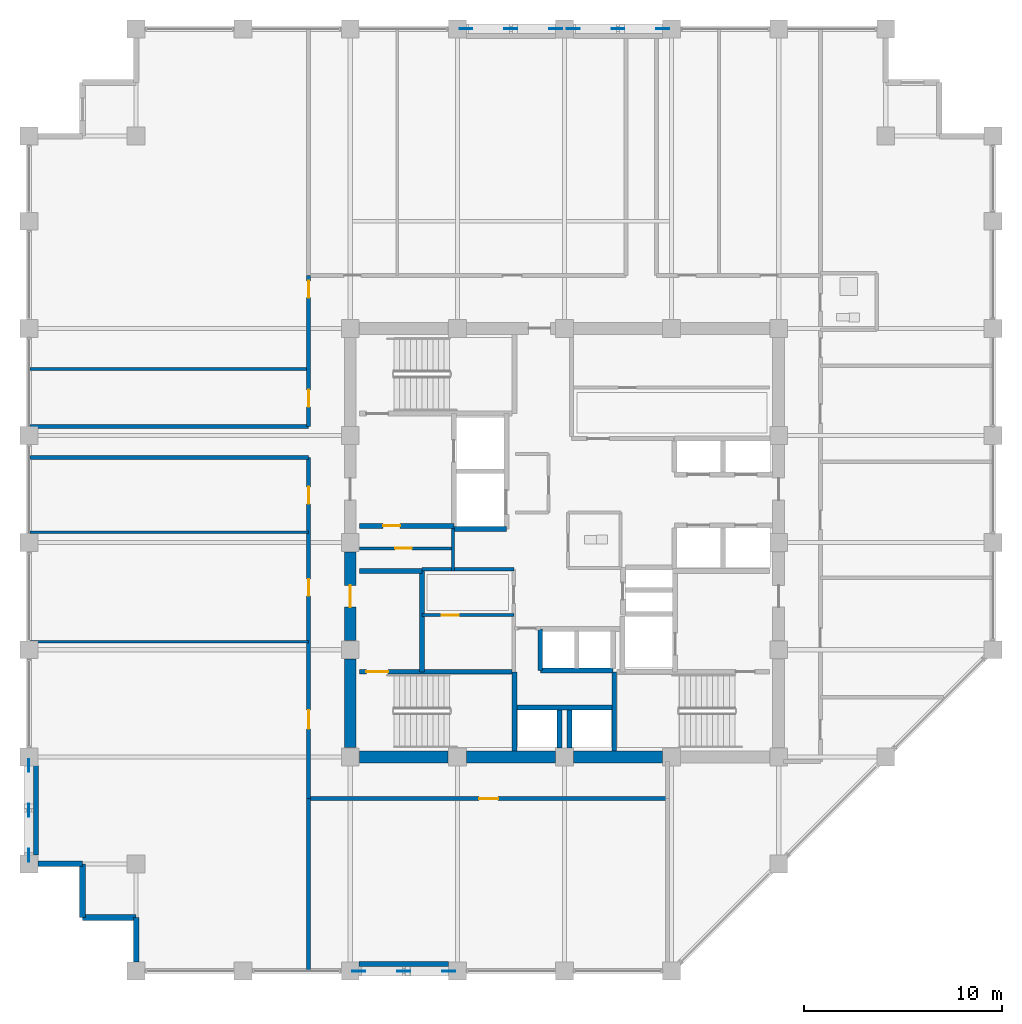
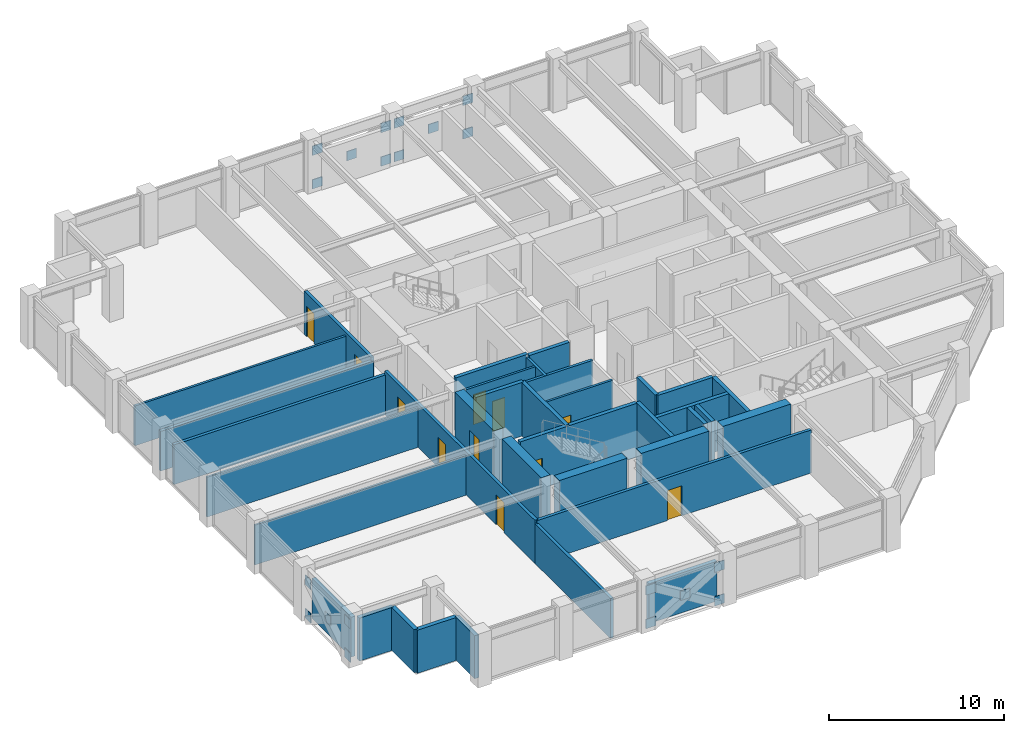
# One storey, part 27 of 32: 36 walls, 20 plates, 11 doors, 11 openings.
"""IFC4 building model written with IfcOpenShell, lengths in metres."""

from ifc_helpers import new_model, si_unit, direction, frame, frame_2d, origin, origin_2d, place, context, subcontext, project, spatial, rectangle, extrude, material, layer, layer_set, type_object, element, fill, save


model = new_model("IFC4")

# Units and contexts
model_context = context("Model", 3, precision=1e-05, world=origin(), true_north=direction((0.0, 1.0)))
body_context = subcontext(model_context, "Body", "Model", "MODEL_VIEW")
ifc_project = project(units=[si_unit("LENGTHUNIT", "METRE"), si_unit("AREAUNIT", "SQUARE_METRE"), si_unit("VOLUMEUNIT", "CUBIC_METRE"), si_unit("PLANEANGLEUNIT", "RADIAN"), si_unit("MASSUNIT", "GRAM", prefix="KILO")], contexts=[model_context])

# Site, building, storey
site_placement = place(None, origin())
site = spatial("IfcSite", under=ifc_project, at=site_placement, CompositionType="ELEMENT")
building_placement = place(site_placement, origin())
building = spatial("IfcBuilding", under=site, at=building_placement, Name="Surkhivell Harbour Commons", CompositionType="ELEMENT")
storey_placement = place(building_placement, frame((0.0, 0.0, 201.0)))
storey = spatial("IfcBuildingStorey", under=building, at=storey_placement, Name="L52", CompositionType="ELEMENT", Elevation=201.0)

# Plates
ifc_material_1 = material(Name="Steel S460", Category="steel")
ifc_layer_1 = layer(ifc_material_1, 0.044921875)
ifc_layer_set_1 = layer_set([ifc_layer_1], Name="Steel S460")
plate_type = type_object("IfcPlateType", Name="PLT-GUS-650", PredefinedType="USERDEFINED", material=ifc_layer_set_1)
for number, where, z_axis, x_axis, name in (
    (1, (-4.965087890625, 25.89990234375, -0.08935546875), (0.0, 0.0, 1.0), (1.0, 0.0, 0.0), "L52 Perimeter Mega-Brace MB- Corner Gusset N-1"),
    (2, (-0.43505859375, 25.89990234375, -0.08935546875), (0.0, 0.0, 1.0), (1.0, 0.0, 0.0), "L52 Perimeter Mega-Brace MB- Corner Gusset N-2"),
    (3, (-4.965087890625, 25.89990234375, 2.25146484375), (0.0, 0.0, 1.0), (1.0, 0.0, 0.0), "L52 Perimeter Mega-Brace MB- Corner Gusset N-3"),
    (4, (-0.43505859375, 25.89990234375, 2.25146484375), (0.0, 0.0, 1.0), (1.0, 0.0, 0.0), "L52 Perimeter Mega-Brace MB- Corner Gusset N-4"),
    (5, (-2.699951171875, 25.89990234375, 1.0810546875), (0.0, 0.0, 1.0), (1.0, 0.0, 0.0), "L52 Perimeter Mega-Brace MB- Central Crossing Gusset N"),
    (6, (0.43505859375, 25.89990234375, -0.08935546875), (0.0, 0.0, 1.0), (1.0, 0.0, 0.0), "L52 Perimeter Mega-Brace MB- Corner Gusset N2-1"),
    (7, (4.965087890625, 25.89990234375, -0.08935546875), (0.0, 0.0, 1.0), (1.0, 0.0, 0.0), "L52 Perimeter Mega-Brace MB- Corner Gusset N2-2"),
    (8, (0.43505859375, 25.89990234375, 2.25146484375), (0.0, 0.0, 1.0), (1.0, 0.0, 0.0), "L52 Perimeter Mega-Brace MB- Corner Gusset N2-3"),
    (9, (4.965087890625, 25.89990234375, 2.25146484375), (0.0, 0.0, 1.0), (1.0, 0.0, 0.0), "L52 Perimeter Mega-Brace MB- Corner Gusset N2-4"),
    (10, (2.699951171875, 25.89990234375, 1.0810546875), (0.0, 0.0, 1.0), (1.0, 0.0, 0.0), "L52 Perimeter Mega-Brace MB- Central Crossing Gusset N2"),
    (11, (-10.364990234375, -21.60009765625, -0.08935546875), (0.0, 0.0, 1.0), (1.0, 0.0, 0.0), "L52 Perimeter Mega-Brace MB- Corner Gusset S-1"),
    (12, (-5.8349609375, -21.60009765625, -0.08935546875), (0.0, 0.0, 1.0), (1.0, 0.0, 0.0), "L52 Perimeter Mega-Brace MB- Corner Gusset S-2"),
    (13, (-10.364990234375, -21.60009765625, 2.25146484375), (0.0, 0.0, 1.0), (1.0, 0.0, 0.0), "L52 Perimeter Mega-Brace MB- Corner Gusset S-3"),
    (14, (-5.8349609375, -21.60009765625, 2.25146484375), (0.0, 0.0, 1.0), (1.0, 0.0, 0.0), "L52 Perimeter Mega-Brace MB- Corner Gusset S-4"),
    (15, (-8.10009765625, -21.60009765625, 1.0810546875), (0.0, 0.0, 1.0), (1.0, 0.0, 0.0), "L52 Perimeter Mega-Brace MB- Central Crossing Gusset S"),
    (16, (-27.0, -15.764892578125, -0.08935546875), (0.0, 0.0, 1.0), (0.0, 1.0, 0.0), "L52 Perimeter Mega-Brace MB- Corner Gusset W-1"),
    (17, (-27.0, -11.235107421875, -0.08935546875), (0.0, 0.0, 1.0), (0.0, 1.0, 0.0), "L52 Perimeter Mega-Brace MB- Corner Gusset W-2"),
    (18, (-27.0, -15.764892578125, 2.25146484375), (0.0, 0.0, 1.0), (0.0, 1.0, 0.0), "L52 Perimeter Mega-Brace MB- Corner Gusset W-3"),
    (19, (-27.0, -11.235107421875, 2.25146484375), (0.0, 0.0, 1.0), (0.0, 1.0, 0.0), "L52 Perimeter Mega-Brace MB- Corner Gusset W-4"),
    (20, (-27.0, -13.5, 1.0810546875), (0.0, 0.0, 1.0), (0.0, 1.0, 0.0), "L52 Perimeter Mega-Brace MB- Central Crossing Gusset W"),
):
    element("IfcPlate", number, at=place(storey_placement, frame(where, z_axis=z_axis, x_axis=x_axis)), inside=storey, type_object=plate_type, Name=name, ObjectType="GUSSET_PLATE", PredefinedType="USERDEFINED", context=body_context, shape_type="SweptSolid", body=[
        extrude(rectangle(XDim=0.64990234375, YDim=0.044921875, at=origin_2d()), origin(), (0.0, 0.0, 1.0), 0.64990234375),
    ])

# Walls
ifc_material_2 = material(Name="Concrete C60/75", Category="concrete")
ifc_layer_2 = layer(ifc_material_2, 0.60009765625)
ifc_layer_set_2 = layer_set([ifc_layer_2], Name="Concrete C60/75")
wall_type_1 = type_object("IfcWallType", Name="WAL-CORE-600", PredefinedType="SHEAR", material=ifc_layer_set_2)
for number, where, z_axis, x_axis, name in (
    (21, (-10.340087890625, -10.800048828125, 0.0), (0.0, 0.0, 1.0), (1.0, 0.0, 0.0), "L52 Core Shear Wall South 1"),
    (22, (-10.800048828125, -10.340087890625, 0.0), (0.0, 0.0, 1.0), (0.0, 1.0, 0.0), "L52 Core Shear Wall West 1"),
    (23, (-4.93994140625, -10.800048828125, 0.0), (0.0, 0.0, 1.0), (1.0, 0.0, 0.0), "L52 Core Shear Wall South 2"),
):
    element("IfcWall", number, at=place(storey_placement, frame(where, z_axis=z_axis, x_axis=x_axis)), inside=storey, type_object=wall_type_1, Name=name, PredefinedType="SHEAR", context=body_context, shape_type="SweptSolid", body=[
        extrude(rectangle(XDim=4.47998046875, YDim=0.60009765625, at=frame_2d((2.239990234375, 0.0))), origin(), (0.0, 0.0, 1.0), 3.75),
    ])

# Wall, opening, door
wall_1_placement = place(storey_placement, frame((-10.800048828125, -4.93994140625, 0.0), z_axis=(0.0, 0.0, 1.0), x_axis=(0.0, 1.0, 0.0)))
wall_1 = element("IfcWall", 24, at=wall_1_placement, inside=storey, type_object=wall_type_1, Name="L52 Core Shear Wall West 2", PredefinedType="SHEAR", context=body_context, shape_type="SweptSolid", body=[
    extrude(rectangle(XDim=4.47998046875, YDim=0.60009765625, at=frame_2d((2.239990234375, 0.0))), origin(), (0.0, 0.0, 1.0), 3.75),
])
opening_1_placement = place(wall_1_placement, frame((1.68994140625, 0.0, 0.0)))
opening_1 = element("IfcOpeningElement", 25, at=opening_1_placement, cuts=wall_1, Name="Opening ID-2", PredefinedType="OPENING", context=body_context, shape_type="SweptSolid", body=[
    extrude(rectangle(XDim=1.10009765625, YDim=2.10009765625, at=frame_2d((0.550048828125, 1.050048828125))), frame((0.0, 0.31005859375, 0.0), z_axis=(0.0, -1.0, 0.0), x_axis=(1.0, 0.0, 0.0)), (0.0, 0.0, 1.0), 0.6201171875),
])
ifc_material_3 = material(Name="Hardwood-veneered fire-rated door leaf", Category="wood")
door_type_1 = type_object("IfcDoorType", Name="DOR-FD60-1100", OperationType="NOTDEFINED", PredefinedType="DOOR", material=ifc_material_3)
door_1_placement = place(opening_1_placement, origin())
door_1 = element("IfcDoor", 26, at=door_1_placement, inside=storey, type_object=door_type_1, Name="L52 Stair 3 Lobby Corridor Door", OperationType="SINGLE_SWING_LEFT", OverallHeight=2.10009765625, OverallWidth=1.10009765625, PredefinedType="DOOR", context=body_context, shape_type="SweptSolid", body=[
    extrude(rectangle(XDim=1.10009765625, YDim=2.10009765625, at=frame_2d((0.550048828125, 1.050048828125))), frame((0.0, 0.02490234375, 0.0), z_axis=(0.0, -1.0, 0.0), x_axis=(1.0, 0.0, 0.0)), (0.0, 0.0, 1.0), 0.050048828125),
])
fill(opening_1, door_1)

# Walls
wall_2_placement = place(storey_placement, frame((0.4599609375, -10.800048828125, 0.0), z_axis=(0.0, 0.0, 1.0), x_axis=(1.0, 0.0, 0.0)))
element("IfcWall", 27, at=wall_2_placement, inside=storey, type_object=wall_type_1, Name="L52 Core Shear Wall South 3", PredefinedType="SHEAR", context=body_context, shape_type="SweptSolid", body=[
    extrude(rectangle(XDim=4.47998046875, YDim=0.60009765625, at=frame_2d((2.239990234375, 0.0))), origin(), (0.0, 0.0, 1.0), 3.75),
])
ifc_material_4 = material(Name="Pale-metal insulated precast concrete C45/55", Category="concrete")
ifc_layer_3 = layer(ifc_material_4, 0.260009765625)
ifc_layer_set_3 = layer_set([ifc_layer_3], Name="Pale-metal insulated precast concrete C45/55")
wall_type_2 = type_object("IfcWallType", Name="WAL-EXT-MTL260", PredefinedType="STANDARD", material=ifc_layer_set_3)
wall_3_placement = place(storey_placement, frame((-10.35205078125, -21.239990234375, 0.0), z_axis=(0.0, 0.0, 1.0), x_axis=(1.0, 0.0, 0.0)))
element("IfcWall", 28, at=wall_3_placement, inside=storey, type_object=wall_type_2, Name="L52 Braced-Bay Insulated Spandrel Backing S", PredefinedType="STANDARD", context=body_context, shape_type="SweptSolid", body=[
    extrude(rectangle(XDim=4.504150390625, YDim=0.260009765625, at=frame_2d((2.251953125, 0.0))), origin(), (0.0, 0.0, 1.0), 2.780029296875),
])
wall_4_placement = place(storey_placement, frame((-26.639892578125, -11.248046875, 0.0), z_axis=(0.0, 0.0, 1.0), x_axis=(0.0, -1.0, 0.0)))
element("IfcWall", 29, at=wall_4_placement, inside=storey, type_object=wall_type_2, Name="L52 Braced-Bay Insulated Spandrel Backing W", PredefinedType="STANDARD", context=body_context, shape_type="SweptSolid", body=[
    extrude(rectangle(XDim=4.50390625, YDim=0.260009765625, at=frame_2d((2.251953125, 0.0))), origin(), (0.0, 0.0, 1.0), 2.780029296875),
])
ifc_material_5 = material(Name="Terracotta-clad reinforced concrete C45/55", Category="masonry")
ifc_layer_4 = layer(ifc_material_5, 0.280029296875)
ifc_layer_set_4 = layer_set([ifc_layer_4], Name="Terracotta-clad reinforced concrete C45/55")
wall_type_3 = type_object("IfcWallType", Name="WAL-EXT-TER280", PredefinedType="STANDARD", material=ifc_layer_set_4)
wall_5_placement = place(storey_placement, frame((-26.552001953125, -16.199951171875, 0.0), z_axis=(0.0, 0.0, 1.0), x_axis=(1.0, 0.0, 0.0)))
element("IfcWall", 30, at=wall_5_placement, inside=storey, type_object=wall_type_3, Name="L52 Serrated Corner Facade Wall 13", PredefinedType="STANDARD", context=body_context, shape_type="SweptSolid", body=[
    extrude(rectangle(XDim=2.251953125, YDim=0.280029296875, at=frame_2d((1.1259765625, 0.0))), origin(), (0.0, 0.0, 1.0), 3.006103515625),
])
for number, where, z_axis, x_axis, name in (
    (31, (-24.300048828125, -16.199951171875, 0.0), (0.0, 0.0, 1.0), (0.0, -1.0, 0.0), "L52 Serrated Corner Facade Wall 14"),
    (32, (-24.300048828125, -18.89990234375, 0.0), (0.0, 0.0, 1.0), (1.0, 0.0, 0.0), "L52 Serrated Corner Facade Wall 15"),
):
    element("IfcWall", number, at=place(storey_placement, frame(where, z_axis=z_axis, x_axis=x_axis)), inside=storey, type_object=wall_type_3, Name=name, PredefinedType="STANDARD", context=body_context, shape_type="SweptSolid", body=[
        extrude(rectangle(XDim=2.699951171875, YDim=0.280029296875, at=frame_2d((1.35009765625, 0.0))), origin(), (0.0, 0.0, 1.0), 3.006103515625),
    ])
wall_6_placement = place(storey_placement, frame((-21.60009765625, -18.89990234375, 0.0), z_axis=(0.0, 0.0, 1.0), x_axis=(0.0, -1.0, 0.0)))
element("IfcWall", 33, at=wall_6_placement, inside=storey, type_object=wall_type_3, Name="L52 Serrated Corner Facade Wall 16", PredefinedType="STANDARD", context=body_context, shape_type="SweptSolid", body=[
    extrude(rectangle(XDim=2.252197265625, YDim=0.280029296875, at=frame_2d((1.1259765625, 0.0))), origin(), (0.0, 0.0, 1.0), 3.006103515625),
])
ifc_material_6 = material(Name="Moisture-resistant acoustic stud partition", Category="other")
ifc_layer_5 = layer(ifc_material_6, 0.125)
ifc_layer_set_5 = layer_set([ifc_layer_5], Name="Moisture-resistant acoustic stud partition")
wall_type_4 = type_object("IfcWallType", Name="WAL-INT-125", PredefinedType="PARTITIONING", material=ifc_layer_set_5)
for number, where, z_axis, x_axis, name in (
    (34, (-26.93994140625, -4.989990234375, 0.0), (0.0, 0.0, 1.0), (1.0, 0.0, 0.0), "L52 South-West Partition P1"),
    (35, (-26.93994140625, 0.52001953125, 0.0), (0.0, 0.0, 1.0), (1.0, 0.0, 0.0), "L52 South-West Partition P2"),
):
    element("IfcWall", number, at=place(storey_placement, frame(where, z_axis=z_axis, x_axis=x_axis)), inside=storey, type_object=wall_type_4, Name=name, PredefinedType="PARTITIONING", context=body_context, shape_type="SweptSolid", body=[
        extrude(rectangle(XDim=14.0400390625, YDim=0.125, at=frame_2d((7.02001953125, 0.0))), origin(), (0.0, 0.0, 1.0), 2.780029296875),
    ])

# Wall, opening, door
ifc_material_7 = material(Name="Twin-stud acoustic fireboard partition", Category="other")
ifc_layer_6 = layer(ifc_material_7, 0.14990234375)
ifc_layer_set_6 = layer_set([ifc_layer_6], Name="Twin-stud acoustic fireboard partition")
wall_type_5 = type_object("IfcWallType", Name="WAL-INT-150", PredefinedType="PARTITIONING", material=ifc_layer_set_6)
wall_7_placement = place(storey_placement, frame((-7.179931640625, -3.64990234375, 0.0), z_axis=(0.0, 0.0, 1.0), x_axis=(1.0, 0.0, 0.0)))
wall_7 = element("IfcWall", 36, at=wall_7_placement, inside=storey, type_object=wall_type_5, Name="L52 Core Cut C1 Partition", PredefinedType="PARTITIONING", context=body_context, shape_type="SweptSolid", body=[
    extrude(rectangle(XDim=4.6298828125, YDim=0.14990234375, at=frame_2d((2.31494140625, 0.0))), origin(), (0.0, 0.0, 1.0), 3.570068359375),
])
opening_2_placement = place(wall_7_placement, frame((1.0, 0.0, 0.0)))
opening_2 = element("IfcOpeningElement", 37, at=opening_2_placement, cuts=wall_7, Name="Opening ID-6", PredefinedType="OPENING", context=body_context, shape_type="SweptSolid", body=[
    extrude(rectangle(XDim=0.85009765625, YDim=2.10009765625, at=frame_2d((0.425048828125, 1.050048828125))), frame((0.0, 0.0849609375, 0.0), z_axis=(0.0, -1.0, 0.0), x_axis=(1.0, 0.0, 0.0)), (0.0, 0.0, 1.0), 0.169921875),
])
door_type_2 = type_object("IfcDoorType", Name="DOR-FD30-850", OperationType="NOTDEFINED", PredefinedType="DOOR", material=ifc_material_3)
door_2_placement = place(opening_2_placement, origin())
door_2 = element("IfcDoor", 38, at=door_2_placement, inside=storey, type_object=door_type_2, Name="L52 Cleaner Room Door", OperationType="SINGLE_SWING_LEFT", OverallHeight=2.10009765625, OverallWidth=0.85009765625, PredefinedType="DOOR", context=body_context, shape_type="SweptSolid", body=[
    extrude(rectangle(XDim=0.85009765625, YDim=2.10009765625, at=frame_2d((0.425048828125, 1.050048828125))), frame((0.0, 0.02490234375, 0.0), z_axis=(0.0, -1.0, 0.0), x_axis=(1.0, 0.0, 0.0)), (0.0, 0.0, 1.0), 0.050048828125),
])
fill(opening_2, door_2)

wall_8_placement = place(storey_placement, frame((-10.340087890625, -0.2900390625, 0.0), z_axis=(0.0, 0.0, 1.0), x_axis=(1.0, 0.0, 0.0)))
wall_8 = element("IfcWall", 39, at=wall_8_placement, inside=storey, type_object=wall_type_5, Name="L52 West Core Horizontal Cut", PredefinedType="PARTITIONING", context=body_context, shape_type="SweptSolid", body=[
    extrude(rectangle(XDim=4.719970703125, YDim=0.14990234375, at=frame_2d((2.35986328125, 0.0))), origin(), (0.0, 0.0, 1.0), 3.570068359375),
])
opening_3_placement = place(wall_8_placement, frame((1.800048828125, 0.0, 0.0)))
opening_3 = element("IfcOpeningElement", 40, at=opening_3_placement, cuts=wall_8, Name="Opening ID-6", PredefinedType="OPENING", context=body_context, shape_type="SweptSolid", body=[
    extrude(rectangle(XDim=0.85009765625, YDim=2.10009765625, at=frame_2d((0.425048828125, 1.050048828125))), frame((0.0, 0.0849609375, 0.0), z_axis=(0.0, -1.0, 0.0), x_axis=(1.0, 0.0, 0.0)), (0.0, 0.0, 1.0), 0.169921875),
])
door_3_placement = place(opening_3_placement, origin())
door_3 = element("IfcDoor", 41, at=door_3_placement, inside=storey, type_object=door_type_2, Name="L52 West Music Pod Door", OperationType="SINGLE_SWING_RIGHT", OverallHeight=2.10009765625, OverallWidth=0.85009765625, PredefinedType="DOOR", context=body_context, shape_type="SweptSolid", body=[
    extrude(rectangle(XDim=0.85009765625, YDim=2.10009765625, at=frame_2d((0.425048828125, 1.050048828125))), frame((0.0, 0.02490234375, 0.0), z_axis=(0.0, -1.0, 0.0), x_axis=(1.0, 0.0, 0.0)), (0.0, 0.0, 1.0), 0.050048828125),
])
fill(opening_3, door_3)

# Walls
wall_9_placement = place(storey_placement, frame((-26.93994140625, 8.75, 0.0), z_axis=(0.0, 0.0, 1.0), x_axis=(1.0, 0.0, 0.0)))
element("IfcWall", 42, at=wall_9_placement, inside=storey, type_object=wall_type_5, Name="L52 North-West Partition P1", PredefinedType="PARTITIONING", context=body_context, shape_type="SweptSolid", body=[
    extrude(rectangle(XDim=14.0400390625, YDim=0.14990234375, at=frame_2d((7.02001953125, 0.0))), origin(), (0.0, 0.0, 1.0), 2.780029296875),
])
ifc_material_8 = material(Name="High-density acoustic blockwork fire partition", Category="masonry")
ifc_layer_7 = layer(ifc_material_8, 0.175048828125)
ifc_layer_set_7 = layer_set([ifc_layer_7], Name="High-density acoustic blockwork fire partition")
wall_type_6 = type_object("IfcWallType", Name="WAL-INT-175", PredefinedType="PARTITIONING", material=ifc_layer_set_7)
wall_10_placement = place(storey_placement, frame((-7.179931640625, -1.35009765625, 0.0), z_axis=(0.0, 0.0, 1.0), x_axis=(1.0, 0.0, 0.0)))
element("IfcWall", 43, at=wall_10_placement, inside=storey, type_object=wall_type_6, Name="L52 Core Service Bay North Wall", PredefinedType="PARTITIONING", context=body_context, shape_type="SweptSolid", body=[
    extrude(rectangle(XDim=4.6298828125, YDim=0.175048828125, at=frame_2d((2.31494140625, 0.0))), origin(), (0.0, 0.0, 1.0), 3.570068359375),
])
wall_11_placement = place(storey_placement, frame((-5.6201171875, -1.419921875, 0.0), z_axis=(0.0, 0.0, 1.0), x_axis=(0.0, 1.0, 0.0)))
element("IfcWall", 44, at=wall_11_placement, inside=storey, type_object=wall_type_6, Name="L52 West Core Bay East Wall", PredefinedType="PARTITIONING", context=body_context, shape_type="SweptSolid", body=[
    extrude(rectangle(XDim=2.139892578125, YDim=0.175048828125, at=frame_2d((1.06982421875, 0.0))), origin(), (0.0, 0.0, 1.0), 3.570068359375),
])
ifc_material_9 = material(Name="Autoclaved aerated concrete blockwork and fire plaster", Category="masonry")
ifc_layer_8 = layer(ifc_material_9, 0.199951171875)
ifc_layer_set_8 = layer_set([ifc_layer_8], Name="Autoclaved aerated concrete blockwork and fire plaster")
wall_type_7 = type_object("IfcWallType", Name="WAL-INT-200", PredefinedType="PARTITIONING", material=ifc_layer_set_8)
wall_12_placement = place(storey_placement, frame((-12.89990234375, -21.5400390625, 0.0), z_axis=(0.0, 0.0, 1.0), x_axis=(0.0, 1.0, 0.0)))
element("IfcWall", 45, at=wall_12_placement, inside=storey, type_object=wall_type_7, Name="L52 South-West Corner Wall", PredefinedType="PARTITIONING", context=body_context, shape_type="SweptSolid", body=[
    extrude(rectangle(XDim=8.64013671875, YDim=0.199951171875, at=frame_2d((4.320068359375, 0.0))), origin(), (0.0, 0.0, 1.0), 2.780029296875),
])

# Wall, opening, door
wall_13_placement = place(storey_placement, frame((-12.89990234375, -12.89990234375, 0.0), z_axis=(0.0, 0.0, 1.0), x_axis=(1.0, 0.0, 0.0)))
wall_13 = element("IfcWall", 46, at=wall_13_placement, inside=storey, type_object=wall_type_7, Name="L52 Corridor South Wall", PredefinedType="PARTITIONING", context=body_context, shape_type="SweptSolid", body=[
    extrude(rectangle(XDim=18.099853515625, YDim=0.199951171875, at=frame_2d((9.0498046875, 0.0))), origin(), (0.0, 0.0, 1.0), 3.006103515625),
])
opening_4_placement = place(wall_13_placement, frame((8.60009765625, 0.0, 0.0)))
opening_4 = element("IfcOpeningElement", 47, at=opening_4_placement, cuts=wall_13, Name="Opening ID-4", PredefinedType="OPENING", context=body_context, shape_type="SweptSolid", body=[
    extrude(rectangle(XDim=0.949951171875, YDim=2.10009765625, at=frame_2d((0.47509765625, 1.050048828125))), frame((0.0, 0.10986328125, 0.0), z_axis=(0.0, -1.0, 0.0), x_axis=(1.0, 0.0, 0.0)), (0.0, 0.0, 1.0), 0.219970703125),
])
door_type_3 = type_object("IfcDoorType", Name="DOR-FD60-950", OperationType="NOTDEFINED", PredefinedType="DOOR", material=ifc_material_3)
door_4_placement = place(opening_4_placement, origin())
door_4 = element("IfcDoor", 48, at=door_4_placement, inside=storey, type_object=door_type_3, Name="L52 Harbour Social Lounge South Door", OperationType="SINGLE_SWING_LEFT", OverallHeight=2.10009765625, OverallWidth=0.949951171875, PredefinedType="DOOR", context=body_context, shape_type="SweptSolid", body=[
    extrude(rectangle(XDim=0.949951171875, YDim=2.10009765625, at=frame_2d((0.47509765625, 1.050048828125))), frame((0.0, 0.02490234375, 0.0), z_axis=(0.0, -1.0, 0.0), x_axis=(1.0, 0.0, 0.0)), (0.0, 0.0, 1.0), 0.050048828125),
])
fill(opening_4, door_4)

# Walls
for number, where, z_axis, x_axis, name in (
    (49, (-26.93994140625, 5.85009765625, 0.0), (0.0, 0.0, 1.0), (1.0, 0.0, 0.0), "L52 West Spur North Wall"),
    (50, (-26.93994140625, 4.300048828125, 0.0), (0.0, 0.0, 1.0), (1.0, 0.0, 0.0), "L52 West Spur South Wall"),
):
    element("IfcWall", number, at=place(storey_placement, frame(where, z_axis=z_axis, x_axis=x_axis)), inside=storey, type_object=wall_type_7, Name=name, PredefinedType="PARTITIONING", context=body_context, shape_type="SweptSolid", body=[
        extrude(rectangle(XDim=14.0400390625, YDim=0.199951171875, at=frame_2d((7.02001953125, 0.0))), origin(), (0.0, 0.0, 1.0), 2.780029296875),
    ])

# Wall, openings, doors
wall_14_placement = place(storey_placement, frame((-12.89990234375, 5.85009765625, 0.0), z_axis=(0.0, 0.0, 1.0), x_axis=(0.0, 1.0, 0.0)))
wall_14 = element("IfcWall", 51, at=wall_14_placement, inside=storey, type_object=wall_type_7, Name="L52 Corridor West-Upper Wall", PredefinedType="PARTITIONING", context=body_context, shape_type="SweptSolid", body=[
    extrude(rectangle(XDim=7.6298828125, YDim=0.199951171875, at=frame_2d((3.81494140625, 0.0))), origin(), (0.0, 0.0, 1.0), 3.006103515625),
])
opening_5_placement = place(wall_14_placement, frame((1.0, 0.0, 0.0)))
opening_5 = element("IfcOpeningElement", 52, at=opening_5_placement, cuts=wall_14, Name="Opening ID-6", PredefinedType="OPENING", context=body_context, shape_type="SweptSolid", body=[
    extrude(rectangle(XDim=0.85009765625, YDim=2.10009765625, at=frame_2d((0.425048828125, 1.050048828125))), frame((0.0, 0.10986328125, 0.0), z_axis=(0.0, -1.0, 0.0), x_axis=(1.0, 0.0, 0.0)), (0.0, 0.0, 1.0), 0.219970703125),
])
opening_6_placement = place(wall_14_placement, frame((6.5, 0.0, 0.0)))
opening_6 = element("IfcOpeningElement", 53, at=opening_6_placement, cuts=wall_14, Name="Opening ID-6", PredefinedType="OPENING", context=body_context, shape_type="SweptSolid", body=[
    extrude(rectangle(XDim=0.85009765625, YDim=2.10009765625, at=frame_2d((0.425048828125, 1.050048828125))), frame((0.0, 0.10986328125, 0.0), z_axis=(0.0, -1.0, 0.0), x_axis=(1.0, 0.0, 0.0)), (0.0, 0.0, 1.0), 0.219970703125),
])
door_5_placement = place(opening_5_placement, origin())
door_5 = element("IfcDoor", 54, at=door_5_placement, inside=storey, type_object=door_type_2, Name="L52 Harbour Reading Library North-West Door", OperationType="SINGLE_SWING_RIGHT", OverallHeight=2.10009765625, OverallWidth=0.85009765625, PredefinedType="DOOR", context=body_context, shape_type="SweptSolid", body=[
    extrude(rectangle(XDim=0.85009765625, YDim=2.10009765625, at=frame_2d((0.425048828125, 1.050048828125))), frame((0.0, 0.02490234375, 0.0), z_axis=(0.0, -1.0, 0.0), x_axis=(1.0, 0.0, 0.0)), (0.0, 0.0, 1.0), 0.050048828125),
])
fill(opening_5, door_5)
door_6_placement = place(opening_6_placement, origin())
door_6 = element("IfcDoor", 55, at=door_6_placement, inside=storey, type_object=door_type_2, Name="L52 Communal Dining Hall North-West Door", OperationType="SINGLE_SWING_LEFT", OverallHeight=2.10009765625, OverallWidth=0.85009765625, PredefinedType="DOOR", context=body_context, shape_type="SweptSolid", body=[
    extrude(rectangle(XDim=0.85009765625, YDim=2.10009765625, at=frame_2d((0.425048828125, 1.050048828125))), frame((0.0, 0.02490234375, 0.0), z_axis=(0.0, -1.0, 0.0), x_axis=(1.0, 0.0, 0.0)), (0.0, 0.0, 1.0), 0.050048828125),
])
fill(opening_6, door_6)

wall_15_placement = place(storey_placement, frame((-12.89990234375, -12.89990234375, 0.0), z_axis=(0.0, 0.0, 1.0), x_axis=(0.0, 1.0, 0.0)))
wall_15 = element("IfcWall", 56, at=wall_15_placement, inside=storey, type_object=wall_type_7, Name="L52 Corridor West-Lower Wall", PredefinedType="PARTITIONING", context=body_context, shape_type="SweptSolid", body=[
    extrude(rectangle(XDim=17.199951171875, YDim=0.199951171875, at=frame_2d((8.60009765625, 0.0))), origin(), (0.0, 0.0, 1.0), 3.006103515625),
])
opening_7_placement = place(wall_15_placement, frame((3.5048828125, 0.0, 0.0)))
opening_7 = element("IfcOpeningElement", 57, at=opening_7_placement, cuts=wall_15, Name="Opening ID-4", PredefinedType="OPENING", context=body_context, shape_type="SweptSolid", body=[
    extrude(rectangle(XDim=0.949951171875, YDim=2.10009765625, at=frame_2d((0.47509765625, 1.050048828125))), frame((0.0, 0.10986328125, 0.0), z_axis=(0.0, -1.0, 0.0), x_axis=(1.0, 0.0, 0.0)), (0.0, 0.0, 1.0), 0.219970703125),
])
opening_8_placement = place(wall_15_placement, frame((10.215087890625, 0.0, 0.0)))
opening_8 = element("IfcOpeningElement", 58, at=opening_8_placement, cuts=wall_15, Name="Opening ID-6", PredefinedType="OPENING", context=body_context, shape_type="SweptSolid", body=[
    extrude(rectangle(XDim=0.85009765625, YDim=2.10009765625, at=frame_2d((0.425048828125, 1.050048828125))), frame((0.0, 0.10986328125, 0.0), z_axis=(0.0, -1.0, 0.0), x_axis=(1.0, 0.0, 0.0)), (0.0, 0.0, 1.0), 0.219970703125),
])
opening_9_placement = place(wall_15_placement, frame((14.860107421875, 0.0, 0.0)))
opening_9 = element("IfcOpeningElement", 59, at=opening_9_placement, cuts=wall_15, Name="Opening ID-6", PredefinedType="OPENING", context=body_context, shape_type="SweptSolid", body=[
    extrude(rectangle(XDim=0.85009765625, YDim=2.10009765625, at=frame_2d((0.425048828125, 1.050048828125))), frame((0.0, 0.10986328125, 0.0), z_axis=(0.0, -1.0, 0.0), x_axis=(1.0, 0.0, 0.0)), (0.0, 0.0, 1.0), 0.219970703125),
])
door_7_placement = place(opening_8_placement, origin())
door_7 = element("IfcDoor", 60, at=door_7_placement, inside=storey, type_object=door_type_2, Name="L52 Resident Social Lounge 2 South-West Door", OperationType="SINGLE_SWING_LEFT", OverallHeight=2.10009765625, OverallWidth=0.85009765625, PredefinedType="DOOR", context=body_context, shape_type="SweptSolid", body=[
    extrude(rectangle(XDim=0.85009765625, YDim=2.10009765625, at=frame_2d((0.425048828125, 1.050048828125))), frame((0.0, 0.02490234375, 0.0), z_axis=(0.0, -1.0, 0.0), x_axis=(1.0, 0.0, 0.0)), (0.0, 0.0, 1.0), 0.050048828125),
])
fill(opening_8, door_7)
door_8_placement = place(opening_9_placement, origin())
door_8 = element("IfcDoor", 61, at=door_8_placement, inside=storey, type_object=door_type_2, Name="L52 Resident Social Lounge 3 South-West Door", OperationType="SINGLE_SWING_RIGHT", OverallHeight=2.10009765625, OverallWidth=0.85009765625, PredefinedType="DOOR", context=body_context, shape_type="SweptSolid", body=[
    extrude(rectangle(XDim=0.85009765625, YDim=2.10009765625, at=frame_2d((0.425048828125, 1.050048828125))), frame((0.0, 0.02490234375, 0.0), z_axis=(0.0, -1.0, 0.0), x_axis=(1.0, 0.0, 0.0)), (0.0, 0.0, 1.0), 0.050048828125),
])
fill(opening_9, door_8)
door_9_placement = place(opening_7_placement, origin())
door_9 = element("IfcDoor", 62, at=door_9_placement, inside=storey, type_object=door_type_3, Name="L52 Harbour Social Lounge South-West Door", OperationType="SINGLE_SWING_RIGHT", OverallHeight=2.10009765625, OverallWidth=0.949951171875, PredefinedType="DOOR", context=body_context, shape_type="SweptSolid", body=[
    extrude(rectangle(XDim=0.949951171875, YDim=2.10009765625, at=frame_2d((0.47509765625, 1.050048828125))), frame((0.0, 0.02490234375, 0.0), z_axis=(0.0, -1.0, 0.0), x_axis=(1.0, 0.0, 0.0)), (0.0, 0.0, 1.0), 0.050048828125),
])
fill(opening_7, door_9)

# Wall, opening, door
ifc_material_10 = material(Name="Concrete C50/60", Category="concrete")
ifc_layer_9 = layer(ifc_material_10, 0.25)
ifc_layer_set_9 = layer_set([ifc_layer_9], Name="Concrete C50/60")
wall_type_8 = type_object("IfcWallType", Name="WAL-SHAFT-250", PredefinedType="SHEAR", material=ifc_layer_set_9)
wall_16_placement = place(storey_placement, frame((-10.340087890625, 0.85009765625, 0.0), z_axis=(0.0, 0.0, 1.0), x_axis=(1.0, 0.0, 0.0)))
wall_16 = element("IfcWall", 63, at=wall_16_placement, inside=storey, type_object=wall_type_8, Name="L52 Firefighting Lobby 1 South Wall", PredefinedType="SHEAR", context=body_context, shape_type="SweptSolid", body=[
    extrude(rectangle(XDim=4.760009765625, YDim=0.25, at=frame_2d((2.3798828125, 0.0))), origin(), (0.0, 0.0, 1.0), 3.75),
])
opening_10_placement = place(wall_16_placement, frame((1.199951171875, 0.0, 0.0)))
opening_10 = element("IfcOpeningElement", 64, at=opening_10_placement, cuts=wall_16, Name="Opening ID-6", PredefinedType="OPENING", context=body_context, shape_type="SweptSolid", body=[
    extrude(rectangle(XDim=0.85009765625, YDim=2.10009765625, at=frame_2d((0.425048828125, 1.050048828125))), frame((0.0, 0.135009765625, 0.0), z_axis=(0.0, -1.0, 0.0), x_axis=(1.0, 0.0, 0.0)), (0.0, 0.0, 1.0), 0.27001953125),
])
door_10_placement = place(opening_10_placement, origin())
door_10 = element("IfcDoor", 65, at=door_10_placement, inside=storey, type_object=door_type_2, Name="L52 West Reading Alcove Door", OperationType="SINGLE_SWING_LEFT", OverallHeight=2.10009765625, OverallWidth=0.85009765625, PredefinedType="DOOR", context=body_context, shape_type="SweptSolid", body=[
    extrude(rectangle(XDim=0.85009765625, YDim=2.10009765625, at=frame_2d((0.425048828125, 1.050048828125))), frame((0.0, 0.02490234375, 0.0), z_axis=(0.0, -1.0, 0.0), x_axis=(1.0, 0.0, 0.0)), (0.0, 0.0, 1.0), 0.050048828125),
])
fill(opening_10, door_10)

# Walls
for number, where, z_axis, x_axis, name in (
    (66, (-0.25, -10.35009765625, 0.0), (0.0, 0.0, 1.0), (0.0, 1.0, 0.0), "L52 High-Rise Side Wall S"),
    (67, (0.25, -10.35009765625, 0.0), (0.0, 0.0, 1.0), (0.0, 1.0, 0.0), "L52 High-Rise Side Wall S"),
):
    element("IfcWall", number, at=place(storey_placement, frame(where, z_axis=z_axis, x_axis=x_axis)), inside=storey, type_object=wall_type_8, Name=name, PredefinedType="SHEAR", context=body_context, shape_type="SweptSolid", body=[
        extrude(rectangle(XDim=1.91015625, YDim=0.25, at=frame_2d((0.955078125, 0.0))), origin(), (0.0, 0.0, 1.0), 3.75),
    ])
wall_17_placement = place(storey_placement, frame((-1.219970703125, -6.43994140625, 0.0), z_axis=(0.0, 0.0, 1.0), x_axis=(0.0, 1.0, 0.0)))
element("IfcWall", 68, at=wall_17_placement, inside=storey, type_object=wall_type_8, Name="L52 High-Rise Passage East Shaft Wall", PredefinedType="SHEAR", context=body_context, shape_type="SweptSolid", body=[
    extrude(rectangle(XDim=2.079833984375, YDim=0.25, at=frame_2d((1.0400390625, 0.0))), origin(), (0.0, 0.0, 1.0), 3.75),
])
wall_18_placement = place(storey_placement, frame((-1.219970703125, -6.43994140625, 0.0), z_axis=(0.0, 0.0, 1.0), x_axis=(1.0, 0.0, 0.0)))
element("IfcWall", 69, at=wall_18_placement, inside=storey, type_object=wall_type_8, Name="L52 High-Rise North Front Shaft Wall", PredefinedType="SHEAR", context=body_context, shape_type="SweptSolid", body=[
    extrude(rectangle(XDim=3.669921875, YDim=0.25, at=frame_2d((1.8349609375, 0.0))), origin(), (0.0, 0.0, 1.0), 3.75),
])
wall_19_placement = place(storey_placement, frame((-2.47998046875, -8.320068359375, 0.0), z_axis=(0.0, 0.0, 1.0), x_axis=(1.0, 0.0, 0.0)))
element("IfcWall", 70, at=wall_19_placement, inside=storey, type_object=wall_type_8, Name="L52 High-Rise South Front Shaft Wall", PredefinedType="SHEAR", context=body_context, shape_type="SweptSolid", body=[
    extrude(rectangle(XDim=4.929931640625, YDim=0.25, at=frame_2d((2.46484375, 0.0))), origin(), (0.0, 0.0, 1.0), 3.75),
])
for number, where, z_axis, x_axis, name in (
    (71, (2.510009765625, -10.5, 0.0), (0.0, 0.0, 1.0), (0.0, 1.0, 0.0), "L52 Stair ST2 West Shear Wall"),
    (72, (-2.510009765625, -10.5, 0.0), (0.0, 0.0, 1.0), (0.0, 1.0, 0.0), "L52 Stair ST3 East Shear Wall"),
):
    element("IfcWall", number, at=place(storey_placement, frame(where, z_axis=z_axis, x_axis=x_axis)), inside=storey, type_object=wall_type_8, Name=name, PredefinedType="SHEAR", context=body_context, shape_type="SweptSolid", body=[
        extrude(rectangle(XDim=3.989990234375, YDim=0.25, at=frame_2d((1.9951171875, 0.0))), origin(), (0.0, 0.0, 1.0), 3.75),
    ])
wall_20_placement = place(storey_placement, frame((-7.179931640625, -6.510009765625, 0.0), z_axis=(0.0, 0.0, 1.0), x_axis=(0.0, 1.0, 0.0)))
element("IfcWall", 73, at=wall_20_placement, inside=storey, type_object=wall_type_8, Name="L52 Stair 3 Lobby East Wall", PredefinedType="SHEAR", context=body_context, shape_type="SweptSolid", body=[
    extrude(rectangle(XDim=5.090087890625, YDim=0.25, at=frame_2d((2.544921875, 0.0))), origin(), (0.0, 0.0, 1.0), 3.75),
])
wall_21_placement = place(storey_placement, frame((-10.340087890625, -1.419921875, 0.0), z_axis=(0.0, 0.0, 1.0), x_axis=(1.0, 0.0, 0.0)))
element("IfcWall", 74, at=wall_21_placement, inside=storey, type_object=wall_type_8, Name="L52 Stair 3 Lobby North Wall", PredefinedType="SHEAR", context=body_context, shape_type="SweptSolid", body=[
    extrude(rectangle(XDim=3.16015625, YDim=0.25, at=frame_2d((1.580078125, 0.0))), origin(), (0.0, 0.0, 1.0), 3.75),
])

# Wall, opening, door
wall_22_placement = place(storey_placement, frame((-10.340087890625, -6.510009765625, 0.0), z_axis=(0.0, 0.0, 1.0), x_axis=(1.0, 0.0, 0.0)))
wall_22 = element("IfcWall", 75, at=wall_22_placement, inside=storey, type_object=wall_type_8, Name="L52 Stair ST3 North Shear Wall", PredefinedType="SHEAR", context=body_context, shape_type="SweptSolid", body=[
    extrude(rectangle(XDim=7.7001953125, YDim=0.25, at=frame_2d((3.85009765625, 0.0))), origin(), (0.0, 0.0, 1.0), 3.75),
])
opening_11_placement = place(wall_22_placement, frame((0.35009765625, 0.0, 0.0)))
opening_11 = element("IfcOpeningElement", 76, at=opening_11_placement, cuts=wall_22, Name="Opening ID-2", PredefinedType="OPENING", context=body_context, shape_type="SweptSolid", body=[
    extrude(rectangle(XDim=1.10009765625, YDim=2.10009765625, at=frame_2d((0.550048828125, 1.050048828125))), frame((0.0, 0.135009765625, 0.0), z_axis=(0.0, -1.0, 0.0), x_axis=(1.0, 0.0, 0.0)), (0.0, 0.0, 1.0), 0.27001953125),
])
door_11_placement = place(opening_11_placement, origin())
door_11 = element("IfcDoor", 77, at=door_11_placement, inside=storey, type_object=door_type_1, Name="L52 Stair ST3 Exit Door", OperationType="SINGLE_SWING_RIGHT", OverallHeight=2.10009765625, OverallWidth=1.10009765625, PredefinedType="DOOR", context=body_context, shape_type="SweptSolid", body=[
    extrude(rectangle(XDim=1.10009765625, YDim=2.10009765625, at=frame_2d((0.550048828125, 1.050048828125))), frame((0.0, 0.02490234375, 0.0), z_axis=(0.0, -1.0, 0.0), x_axis=(1.0, 0.0, 0.0)), (0.0, 0.0, 1.0), 0.050048828125),
])
fill(opening_11, door_11)

# Wall
wall_23_placement = place(storey_placement, frame((-5.580078125, 0.679931640625, 0.0), z_axis=(0.0, 0.0, 1.0), x_axis=(1.0, 0.0, 0.0)))
element("IfcWall", 78, at=wall_23_placement, inside=storey, type_object=wall_type_8, Name="L52 SVL1 South Shaft Wall", PredefinedType="SHEAR", context=body_context, shape_type="SweptSolid", body=[
    extrude(rectangle(XDim=2.650146484375, YDim=0.25, at=frame_2d((1.3251953125, 0.0))), origin(), (0.0, 0.0, 1.0), 3.75),
])

save(model, "model.ifc")
